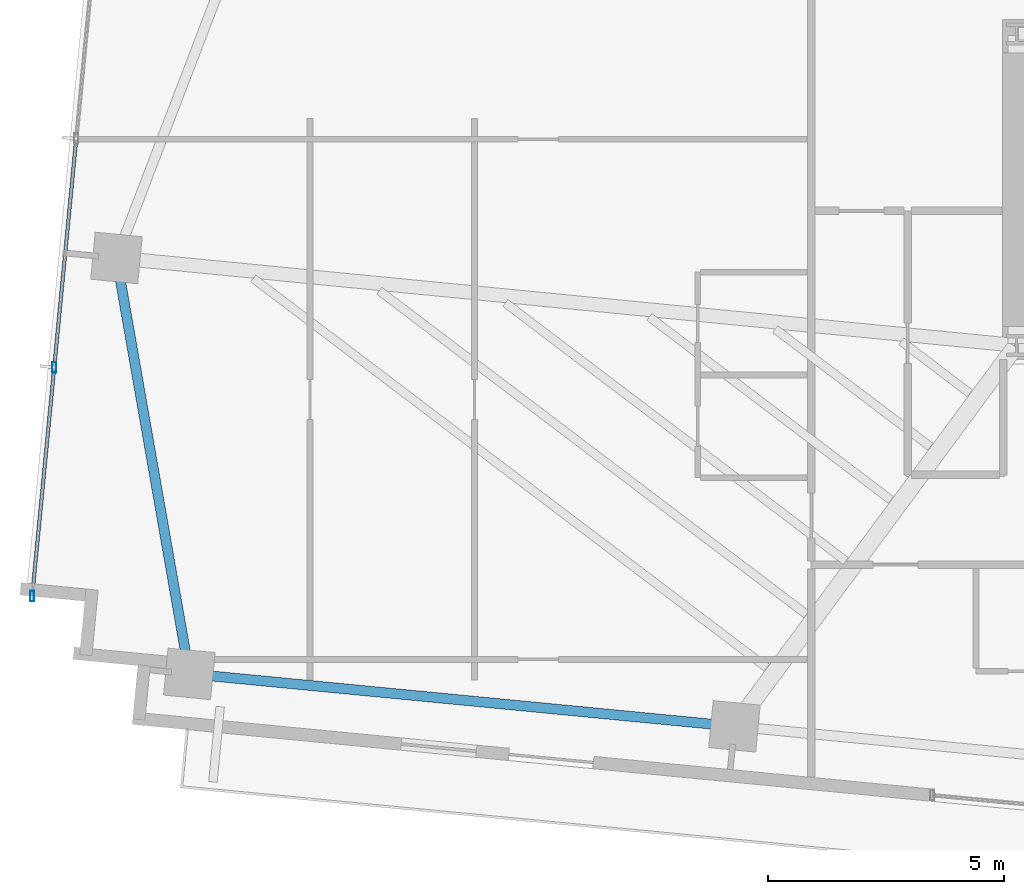
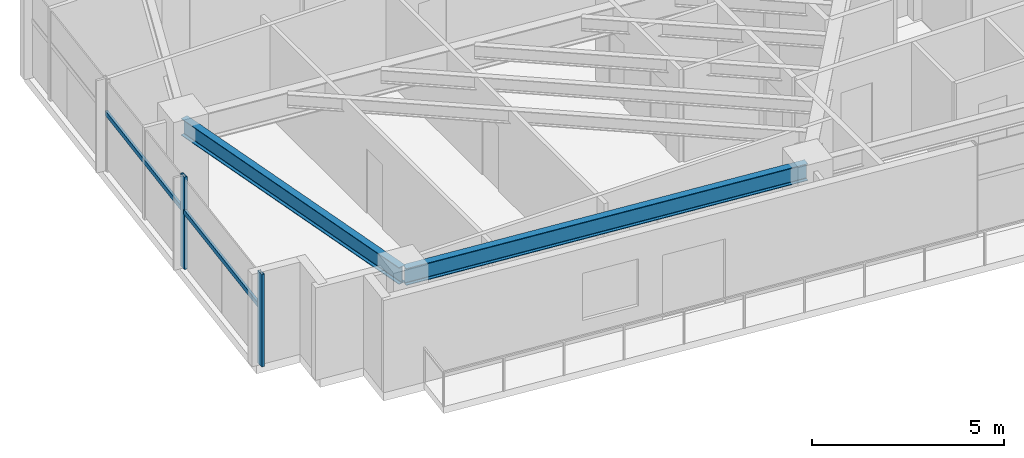
# One storey, part 2 of 19: 4 members, 2 beams, 1 element without a shape of its own.
"""IFC4 building model written with IfcOpenShell, lengths in metres."""

from ifc_helpers import new_model, si_unit, direction, frame, origin, origin_2d, place, context, subcontext, project, spatial, hollow_rectangle, i_section, extrude, source, transform, mapped, material, material_profile, profile_set, type_object, type_shapes, element, aggregate, save


model = new_model("IFC4")

# Units and contexts
model_context = context("Model", 3, precision=1e-05, world=origin(), true_north=direction((0.0, 1.0)))
body_context = subcontext(model_context, "Body", "Model", "MODEL_VIEW")
ifc_project = project(units=[si_unit("LENGTHUNIT", "METRE"), si_unit("AREAUNIT", "SQUARE_METRE"), si_unit("VOLUMEUNIT", "CUBIC_METRE"), si_unit("PLANEANGLEUNIT", "RADIAN"), si_unit("MASSUNIT", "GRAM", prefix="KILO")], contexts=[model_context])

# Site, building, storey
site_placement = place(None, origin())
site = spatial("IfcSite", under=ifc_project, at=site_placement, CompositionType="ELEMENT")
building_placement = place(site_placement, origin())
building = spatial("IfcBuilding", under=site, at=building_placement, Name="Astriad Promenade Condominiums", CompositionType="ELEMENT")
storey_placement = place(building_placement, frame((0.0, 0.0, 143.800048828125)))
storey = spatial("IfcBuildingStorey", under=building, at=storey_placement, Name="L41", CompositionType="ELEMENT", Elevation=143.800048828125)

# Beams
ifc_material_1 = material(Name="Steel ASTM A992 Grade 50", Category="steel")
ifc_material_profile_1 = material_profile(ifc_material_1, i_section(OverallWidth=0.210693359375, OverallDepth=0.53955078125, WebThickness=0.01171875, FlangeThickness=0.018798828125, FilletRadius=0.0166015625, at=origin_2d()), Name="W21X73")
ifc_profile_set_1 = profile_set([ifc_material_profile_1], Name="Steel ASTM A992 Grade 50")
beam_type = type_object("IfcBeamType", Name="STEEL SPANDREL BEAM W21X73", PredefinedType="SPANDREL", material=ifc_profile_set_1)
shared_shape_1 = source(origin(), body_context, "Body", "SweptSolid", [
    extrude(i_section(OverallWidth=0.210693359375, OverallDepth=0.53955078125, WebThickness=0.01171875, FlangeThickness=0.018798828125, FilletRadius=0.0166015625, at=origin_2d()), origin(), (0.0, 0.0, 1.0), 11.52001953125),
])
beam_1_placement = place(storey_placement, frame((8.92041015625, 10.439453125, 2.670166015625), z_axis=(0.9953953902, -0.095854145285, 0.0), x_axis=(0.095854145285, 0.9953953902, 0.0)))
element("IfcBeam", 1, at=beam_1_placement, inside=storey, type_object=beam_type, Name="Perimeter Spandrel Beam SP-S1-L41", PredefinedType="SPANDREL", context=body_context, shape_type="MappedRepresentation", body=[
    mapped(shared_shape_1, transform((0.0, 0.0, 0.0), scale=1.0)),
])
shared_shape_2 = source(origin(), body_context, "Body", "SweptSolid", [
    extrude(i_section(OverallWidth=0.210693359375, OverallDepth=0.53955078125, WebThickness=0.01171875, FlangeThickness=0.018798828125, FilletRadius=0.0166015625, at=origin_2d()), origin(), (0.0, 0.0, 1.0), 8.862548828125),
])
type_shapes(beam_type, [shared_shape_1, shared_shape_2])
beam_2_placement = place(storey_placement, frame((7.3447265625, 19.21240234375, 2.670166015625), z_axis=(0.172528005434, -0.985004612853, 0.0), x_axis=(0.985004612853, 0.172528005434, 0.0)))
element("IfcBeam", 2, at=beam_2_placement, inside=storey, type_object=beam_type, Name="Perimeter Spandrel Beam SP-W1-L41", PredefinedType="SPANDREL", context=body_context, shape_type="MappedRepresentation", body=[
    mapped(shared_shape_2, transform((0.0, 0.0, 0.0), scale=1.0)),
])

# Curtain wall, members
ifc_material_2 = material(Name="Anodised aluminium Black Dark Glass Unitised", Category="aluminium")
curtain_wall_type = type_object("IfcCurtainWallType", Name="CW-B34-DARK", PredefinedType="USERDEFINED", material=ifc_material_2)
curtain_wall_placement = place(storey_placement, origin())
curtain_wall = element("IfcCurtainWall", 3, at=curtain_wall_placement, inside=storey, type_object=curtain_wall_type, Name="CW-L41-W", ObjectType="UNITISED_CURTAIN_WALL", PredefinedType="USERDEFINED")
ifc_material_3 = material(Name="Anodised aluminium 6063-T6 Black", Category="aluminium")
ifc_material_profile_2 = material_profile(ifc_material_3, hollow_rectangle(XDim=0.0849609375, YDim=0.219970703125, WallThickness=0.0048828125, at=origin_2d()), Name="ALU-MUL-85X220")
ifc_profile_set_2 = profile_set([ifc_material_profile_2], Name="Anodised aluminium 6063-T6 Black")
member_type_1 = type_object("IfcMemberType", Name="MUL-ALU-MUL-85X220", PredefinedType="MULLION", material=ifc_profile_set_2)
shared_shape_3 = source(origin(), body_context, "Body", "SweptSolid", [
    extrude(hollow_rectangle(XDim=0.0849609375, YDim=0.219970703125, WallThickness=0.0048828125, at=origin_2d()), origin(), (0.0, 0.0, 1.0), 2.93994140625),
])
type_shapes(member_type_1, [shared_shape_3])
member_1_placement = place(storey_placement, frame((5.552978515625, 12.08984375, 0.0), z_axis=(0.0, 0.0, 1.0), x_axis=(1.0, 0.0, 0.0)))
member_1 = element("IfcMember", 4, at=member_1_placement, type_object=member_type_1, Name="CW-L41-W-MUL-00", PredefinedType="MULLION", context=body_context, shape_type="MappedRepresentation", body=[
    mapped(shared_shape_3, transform((0.0, 0.0, 0.0), scale=1.0)),
])
member_2_placement = place(storey_placement, frame((6.01953125, 16.93408203125, 0.0), z_axis=(0.0, 0.0, 1.0), x_axis=(1.0, 0.0, 0.0)))
member_2 = element("IfcMember", 5, at=member_2_placement, type_object=member_type_1, Name="CW-L41-W-MUL-01", PredefinedType="MULLION", context=body_context, shape_type="MappedRepresentation", body=[
    mapped(shared_shape_3, transform((0.0, 0.0, 0.0), scale=1.0)),
])
ifc_material_profile_3 = material_profile(ifc_material_3, hollow_rectangle(XDim=0.074951171875, YDim=0.14990234375, WallThickness=0.004150390625, at=origin_2d()), Name="ALU-TRN-75X150")
ifc_profile_set_3 = profile_set([ifc_material_profile_3], Name="Anodised aluminium 6063-T6 Black")
member_type_2 = type_object("IfcMemberType", Name="TRN-ALU-TRN-75X150", PredefinedType="USERDEFINED", material=ifc_profile_set_3)
shared_shape_4 = source(origin(), body_context, "Body", "SweptSolid", [
    extrude(hollow_rectangle(XDim=0.074951171875, YDim=0.14990234375, WallThickness=0.004150390625, at=origin_2d()), origin(), (0.0, 0.0, 1.0), 4.86669921875),
])
type_shapes(member_type_2, [shared_shape_4])
member_3_placement = place(storey_placement, frame((5.552978515625, 12.08984375, 1.82275390625), z_axis=(0.095867260207, 0.995394127178, 0.0), x_axis=(-0.995394127178, 0.095867260207, 0.0)))
member_3 = element("IfcMember", 6, at=member_3_placement, type_object=member_type_2, Name="CW-L41-W-TRN-00-0", ObjectType="TRANSOM", PredefinedType="USERDEFINED", context=body_context, shape_type="MappedRepresentation", body=[
    mapped(shared_shape_4, transform((0.0, 0.0, 0.0), scale=1.0)),
])
member_4_placement = place(storey_placement, frame((6.01953125, 16.93408203125, 1.82275390625), z_axis=(0.095867260207, 0.995394127178, 0.0), x_axis=(-0.995394127178, 0.095867260207, 0.0)))
member_4 = element("IfcMember", 7, at=member_4_placement, type_object=member_type_2, Name="CW-L41-W-TRN-01-0", ObjectType="TRANSOM", PredefinedType="USERDEFINED", context=body_context, shape_type="MappedRepresentation", body=[
    mapped(shared_shape_4, transform((0.0, 0.0, 0.0), scale=1.0)),
])
aggregate(curtain_wall, [member_1, member_2, member_3, member_4])

save(model, "model.ifc")
